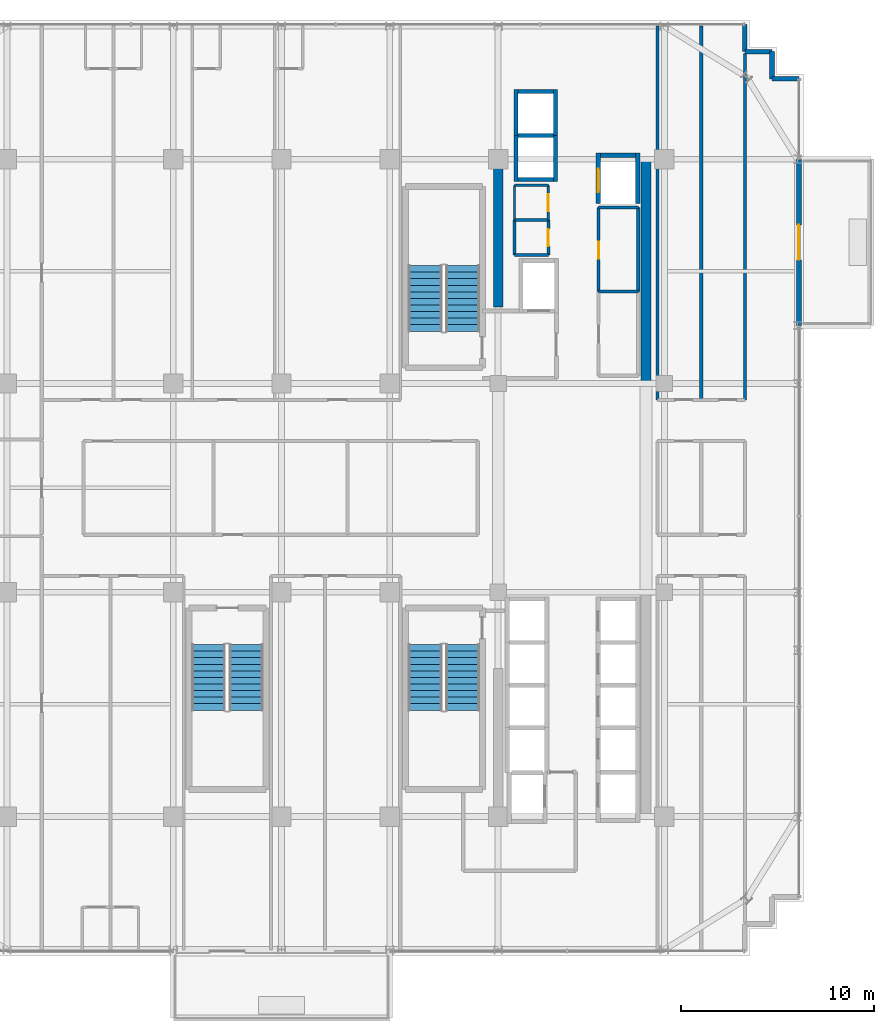
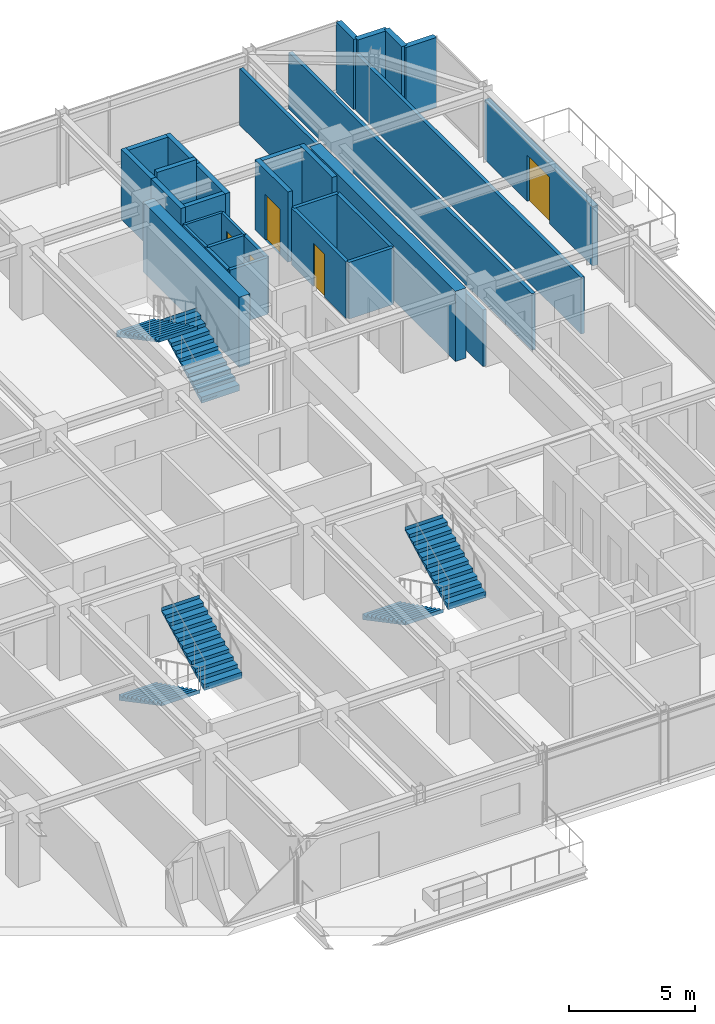
# One storey, part 31 of 34: 31 walls, 6 stair flights, 5 doors, 5 openings, 3 elements without a shape of their own.
"""IFC4 building model written with IfcOpenShell, lengths in metres."""

from ifc_helpers import new_model, si_unit, direction, frame, frame_2d, origin, place, context, subcontext, project, spatial, polyline, rectangle, outline, extrude, source, transform, mapped, material, layer, layer_set, type_object, element, fill, aggregate, save


model = new_model("IFC4")

# Units and contexts
model_context = context("Model", 3, precision=1e-05, world=origin(), true_north=direction((0.0, 1.0)))
body_context = subcontext(model_context, "Body", "Model", "MODEL_VIEW")
ifc_project = project(units=[si_unit("LENGTHUNIT", "METRE"), si_unit("AREAUNIT", "SQUARE_METRE"), si_unit("VOLUMEUNIT", "CUBIC_METRE"), si_unit("PLANEANGLEUNIT", "RADIAN"), si_unit("MASSUNIT", "GRAM", prefix="KILO")], contexts=[model_context])

# Site, building, storey
site_placement = place(None, origin())
site = spatial("IfcSite", under=ifc_project, at=site_placement, CompositionType="ELEMENT")
building_placement = place(site_placement, origin())
building = spatial("IfcBuilding", under=site, at=building_placement, Name="Nahalor Promenade Grand Hotel", CompositionType="ELEMENT")
storey_placement = place(building_placement, frame((0.0, 0.0, 208.60009765625)))
storey = spatial("IfcBuildingStorey", under=building, at=storey_placement, Name="L53", CompositionType="ELEMENT", Elevation=208.60009765625)

# Walls
ifc_material_1 = material(Name="Concrete B-60 (C50/60)", Category="concrete")
ifc_layer_1 = layer(ifc_material_1, 0.5)
ifc_layer_set_1 = layer_set([ifc_layer_1], Name="Concrete B-60 (C50/60)")
wall_type_1 = type_object("IfcWallType", Name="Wall-CoreShear-500", PredefinedType="SHEAR", material=ifc_layer_set_1)
shared_shape_1 = source(origin(), body_context, "Body", "SweptSolid", [
    extrude(rectangle(XDim=7.64990234375, YDim=0.5, at=frame_2d((3.824951171875, 0.0))), origin(), (0.0, 0.0, 1.0), 3.409912109375),
])
wall_1_placement = place(storey_placement, frame((8.39990234375, 9.35009765625, 0.0), z_axis=(0.0, 0.0, 1.0), x_axis=(0.0, 1.0, 0.0)))
element("IfcWall", 1, at=wall_1_placement, inside=storey, type_object=wall_type_1, Name="CWALL-L53-NW", PredefinedType="SHEAR", context=body_context, shape_type="MappedRepresentation", body=[
    mapped(shared_shape_1, transform((0.0, 0.0, 0.0), scale=1.0)),
])
shared_shape_2 = source(origin(), body_context, "Body", "SweptSolid", [
    extrude(rectangle(XDim=11.60009765625, YDim=0.5, at=frame_2d((5.800048828125, 0.0))), origin(), (0.0, 0.0, 1.0), 3.409912109375),
])
wall_2_placement = place(storey_placement, frame((16.050048828125, 5.39990234375, 0.0), z_axis=(0.0, 0.0, 1.0), x_axis=(0.0, 1.0, 0.0)))
element("IfcWall", 2, at=wall_2_placement, inside=storey, type_object=wall_type_1, Name="CWALL-L53-NE", PredefinedType="SHEAR", context=body_context, shape_type="MappedRepresentation", body=[
    mapped(shared_shape_2, transform((0.0, 0.0, 0.0), scale=1.0)),
])
ifc_material_2 = material(Name="Concrete B-50 (C40/50)", Category="concrete")
ifc_layer_2 = layer(ifc_material_2, 0.219970703125)
ifc_layer_set_2 = layer_set([ifc_layer_2], Name="Concrete B-50 (C40/50)")
wall_type_2 = type_object("IfcWallType", Name="Wall-LiftShaft-220", PredefinedType="SHEAR", material=ifc_layer_set_2)
shared_shape_3 = source(origin(), body_context, "Body", "SweptSolid", [
    extrude(rectangle(XDim=1.820068359375, YDim=0.219970703125, at=frame_2d((0.91015625, 0.0))), origin(), (0.0, 0.0, 1.0), 3.409912109375),
])
for number, where, z_axis, x_axis, name in (
    (3, (9.43994140625, 15.949951171875, 0.0), (0.0, 0.0, 1.0), (1.0, 0.0, 0.0), "L53 Lift OB1 Hoistway Wall S"),
    (4, (9.43994140625, 20.5, 0.0), (0.0, 0.0, 1.0), (1.0, 0.0, 0.0), "L53 Lift OB2 Hoistway Wall N"),
    (5, (13.68994140625, 17.199951171875, 0.0), (0.0, 0.0, 1.0), (1.0, 0.0, 0.0), "L53 Lift SV1 Hoistway Wall N"),
):
    element("IfcWall", number, at=place(storey_placement, frame(where, z_axis=z_axis, x_axis=x_axis)), inside=storey, type_object=wall_type_2, Name=name, PredefinedType="SHEAR", context=body_context, shape_type="MappedRepresentation", body=[
        mapped(shared_shape_3, transform((0.0, 0.0, 0.0), scale=1.0)),
    ])
shared_shape_4 = source(origin(), body_context, "Body", "SweptSolid", [
    extrude(rectangle(XDim=1.820068359375, YDim=0.219970703125, at=frame_2d((0.91015625, 0.0))), origin(), (0.0, 0.0, 1.0), 3.699951171875),
])
wall_3_placement = place(storey_placement, frame((9.43994140625, 18.22509765625, 0.0), z_axis=(0.0, 0.0, 1.0), x_axis=(1.0, 0.0, 0.0)))
element("IfcWall", 6, at=wall_3_placement, inside=storey, type_object=wall_type_2, Name="L53 Lift OB1 Hoistway Wall N", PredefinedType="SHEAR", context=body_context, shape_type="MappedRepresentation", body=[
    mapped(shared_shape_4, transform((0.0, 0.0, 0.0), scale=1.0)),
])
shared_shape_5 = source(origin(), body_context, "Body", "SweptSolid", [
    extrude(rectangle(XDim=2.385009765625, YDim=0.219970703125, at=frame_2d((1.1923828125, 0.0))), origin(), (0.0, 0.0, 1.0), 3.409912109375),
])
for number, where, z_axis, x_axis, name in (
    (7, (9.330078125, 15.840087890625, 0.0), (0.0, 0.0, 1.0), (0.0, 1.0, 0.0), "L53 Lift OB1 Hoistway Wall W"),
    (8, (11.3701171875, 15.840087890625, 0.0), (0.0, 0.0, 1.0), (0.0, 1.0, 0.0), "L53 Lift OB1 Hoistway Wall E"),
    (9, (9.330078125, 18.22509765625, 0.0), (0.0, 0.0, 1.0), (0.0, 1.0, 0.0), "L53 Lift OB2 Hoistway Wall W"),
    (10, (11.3701171875, 18.22509765625, 0.0), (0.0, 0.0, 1.0), (0.0, 1.0, 0.0), "L53 Lift OB2 Hoistway Wall E"),
):
    element("IfcWall", number, at=place(storey_placement, frame(where, z_axis=z_axis, x_axis=x_axis)), inside=storey, type_object=wall_type_2, Name=name, PredefinedType="SHEAR", context=body_context, shape_type="MappedRepresentation", body=[
        mapped(shared_shape_5, transform((0.0, 0.0, 0.0), scale=1.0)),
    ])

# Wall, opening, door
shared_shape_6 = source(origin(), body_context, "Body", "SweptSolid", [
    extrude(rectangle(XDim=2.610107421875, YDim=0.219970703125, at=frame_2d((1.30517578125, 0.0))), origin(), (0.0, 0.0, 1.0), 3.409912109375),
])
wall_4_placement = place(storey_placement, frame((13.580078125, 14.699951171875, 0.0), z_axis=(0.0, 0.0, 1.0), x_axis=(0.0, 1.0, 0.0)))
wall_4 = element("IfcWall", 11, at=wall_4_placement, inside=storey, type_object=wall_type_2, Name="L53 Lift SV1 Hoistway Wall W", PredefinedType="SHEAR", context=body_context, shape_type="MappedRepresentation", body=[
    mapped(shared_shape_6, transform((0.0, 0.0, 0.0), scale=1.0)),
])
opening_1_placement = place(wall_4_placement, frame((0.60009765625, 0.0, 0.0)))
opening_1 = element("IfcOpeningElement", 12, at=opening_1_placement, cuts=wall_4, Name="Opening LD-03", PredefinedType="OPENING", context=body_context, shape_type="SweptSolid", body=[
    extrude(rectangle(XDim=1.199951171875, YDim=2.199951171875, at=frame_2d((0.60009765625, 1.10009765625))), frame((0.0, 0.119873046875, 0.0), z_axis=(0.0, -1.0, 0.0), x_axis=(1.0, 0.0, 0.0)), (0.0, 0.0, 1.0), 0.239990234375),
])
ifc_material_3 = material(Name="Steel S355JR", Category="steel")
door_type_1 = type_object("IfcDoorType", Name="Door-LiftService-1200", OperationType="DOUBLE_DOOR_SLIDING", PredefinedType="DOOR", material=ifc_material_3)
shared_shape_7 = source(origin(), body_context, "Body", "SweptSolid", [
    extrude(rectangle(XDim=1.199951171875, YDim=2.199951171875, at=frame_2d((0.60009765625, 1.10009765625))), frame((0.0, 0.02490234375, 0.0), z_axis=(0.0, -1.0, 0.0), x_axis=(1.0, 0.0, 0.0)), (0.0, 0.0, 1.0), 0.050048828125),
])
door_1_placement = place(opening_1_placement, origin())
door_1 = element("IfcDoor", 13, at=door_1_placement, inside=storey, type_object=door_type_1, Name="DR-LIFT-SV1-L53", OperationType="DOUBLE_DOOR_SLIDING", OverallHeight=2.199951171875, OverallWidth=1.199951171875, PredefinedType="DOOR", context=body_context, shape_type="MappedRepresentation", body=[
    mapped(shared_shape_7, transform((0.0, 0.0, 0.0), scale=1.0)),
])
fill(opening_1, door_1)

# Walls
wall_5_placement = place(storey_placement, frame((15.6201171875, 14.699951171875, 0.0), z_axis=(0.0, 0.0, 1.0), x_axis=(0.0, 1.0, 0.0)))
element("IfcWall", 14, at=wall_5_placement, inside=storey, type_object=wall_type_2, Name="L53 Lift SV1 Hoistway Wall E", PredefinedType="SHEAR", context=body_context, shape_type="MappedRepresentation", body=[
    mapped(shared_shape_6, transform((0.0, 0.0, 0.0), scale=1.0)),
])
ifc_material_4 = material(Name="Concrete B-40 (C32/40)", Category="concrete")
ifc_layer_3 = layer(ifc_material_4, 0.25)
ifc_layer_set_3 = layer_set([ifc_layer_3], Name="Concrete B-40 (C32/40)")
wall_type_3 = type_object("IfcWallType", Name="Wall-BronzePier-250", PredefinedType="STANDARD", material=ifc_layer_set_3)
shared_shape_8 = source(origin(), body_context, "Body", "SweptSolid", [
    extrude(rectangle(XDim=1.39990234375, YDim=0.25, at=frame_2d((0.699951171875, 0.0))), origin(), (0.0, 0.0, 1.0), 3.409912109375),
])
for number, where, z_axis, x_axis, name in (
    (15, (22.56005859375, 21.159912109375, 0.0), (0.0, 0.0, 1.0), (1.0, 0.0, 0.0), "W-L53-SR-05"),
    (16, (21.159912109375, 22.56005859375, 0.0), (0.0, 0.0, 1.0), (0.0, 1.0, 0.0), "W-L53-SR-08"),
):
    element("IfcWall", number, at=place(storey_placement, frame(where, z_axis=z_axis, x_axis=x_axis)), inside=storey, type_object=wall_type_3, Name=name, PredefinedType="STANDARD", context=body_context, shape_type="MappedRepresentation", body=[
        mapped(shared_shape_8, transform((0.0, 0.0, 0.0), scale=1.0)),
    ])
shared_shape_9 = source(origin(), body_context, "Body", "SweptSolid", [
    extrude(rectangle(XDim=1.400146484375, YDim=0.25, at=frame_2d((0.7001953125, 0.0))), origin(), (0.0, 0.0, 1.0), 3.409912109375),
])
for number, where, z_axis, x_axis, name in (
    (17, (22.56005859375, 21.159912109375, 0.0), (0.0, 0.0, 1.0), (0.0, 1.0, 0.0), "W-L53-SR-06"),
    (18, (21.159912109375, 22.56005859375, 0.0), (0.0, 0.0, 1.0), (1.0, 0.0, 0.0), "W-L53-SR-07"),
):
    element("IfcWall", number, at=place(storey_placement, frame(where, z_axis=z_axis, x_axis=x_axis)), inside=storey, type_object=wall_type_3, Name=name, PredefinedType="STANDARD", context=body_context, shape_type="MappedRepresentation", body=[
        mapped(shared_shape_9, transform((0.0, 0.0, 0.0), scale=1.0)),
    ])

# Wall, opening, door
ifc_layer_4 = layer(ifc_material_4, 0.260009765625)
ifc_layer_set_4 = layer_set([ifc_layer_4], Name="Concrete B-40 (C32/40)")
wall_type_4 = type_object("IfcWallType", Name="Wall-BalconyWall-260", PredefinedType="STANDARD", material=ifc_layer_set_4)
shared_shape_10 = source(origin(), body_context, "Body", "SweptSolid", [
    extrude(rectangle(XDim=8.60009765625, YDim=0.260009765625, at=frame_2d((4.300048828125, 0.0))), origin(), (0.0, 0.0, 1.0), 2.889892578125),
])
wall_6_placement = place(storey_placement, frame((23.9599609375, 8.39990234375, 0.0), z_axis=(0.0, 0.0, 1.0), x_axis=(0.0, 1.0, 0.0)))
wall_6 = element("IfcWall", 19, at=wall_6_placement, inside=storey, type_object=wall_type_4, Name="W-L53-BALC-E-2", PredefinedType="STANDARD", context=body_context, shape_type="MappedRepresentation", body=[
    mapped(shared_shape_10, transform((0.0, 0.0, 0.0), scale=1.0)),
])
opening_2_placement = place(wall_6_placement, frame((3.39990234375, 0.0, 0.0)))
opening_2 = element("IfcOpeningElement", 20, at=opening_2_placement, cuts=wall_6, Name="Opening D-BC1", PredefinedType="OPENING", context=body_context, shape_type="SweptSolid", body=[
    extrude(rectangle(XDim=1.800048828125, YDim=2.25, at=frame_2d((0.89990234375, 1.125))), frame((0.0, 0.139892578125, 0.0), z_axis=(0.0, -1.0, 0.0), x_axis=(1.0, 0.0, 0.0)), (0.0, 0.0, 1.0), 0.280029296875),
])
ifc_material_5 = material(Name="Anodised Bronze Aluminium EN AW-6063 T6", Category="aluminium")
door_type_2 = type_object("IfcDoorType", Name="Door-BalconySlide-1800", OperationType="DOUBLE_DOOR_SLIDING", PredefinedType="DOOR", material=ifc_material_5)
shared_shape_11 = source(origin(), body_context, "Body", "SweptSolid", [
    extrude(rectangle(XDim=1.800048828125, YDim=2.25, at=frame_2d((0.89990234375, 1.125))), frame((0.0, 0.02490234375, 0.0), z_axis=(0.0, -1.0, 0.0), x_axis=(1.0, 0.0, 0.0)), (0.0, 0.0, 1.0), 0.050048828125),
])
door_2_placement = place(opening_2_placement, frame((1.800048828125, 0.0, 0.0), z_axis=(0.0, 0.0, 1.0), x_axis=(-1.0, 0.0, 0.0)))
door_2 = element("IfcDoor", 21, at=door_2_placement, inside=storey, type_object=door_type_2, Name="DR-L53-BALC-E-2", OperationType="DOUBLE_DOOR_SLIDING", OverallHeight=2.25, OverallWidth=1.800048828125, PredefinedType="DOOR", context=body_context, shape_type="MappedRepresentation", body=[
    mapped(shared_shape_11, transform((0.0, 0.0, 0.0), scale=1.0)),
])
fill(opening_2, door_2)

# Walls
ifc_material_6 = material(Name="Acoustic Mineral Gypsum", Category="gypsum")
ifc_layer_5 = layer(ifc_material_6, 0.14990234375)
ifc_layer_set_5 = layer_set([ifc_layer_5], Name="Acoustic Mineral Gypsum")
wall_type_5 = type_object("IfcWallType", Name="Wall-PartService-150", PredefinedType="PARTITIONING", material=ifc_layer_set_5)
shared_shape_12 = source(origin(), body_context, "Body", "SweptSolid", [
    extrude(rectangle(XDim=1.75, YDim=0.14990234375, at=frame_2d((0.875, 0.0))), origin(), (0.0, 0.0, 1.0), 2.75),
])
for number, where, z_axis, x_axis, name in (
    (22, (9.25, 12.050048828125, 0.0), (0.0, 0.0, 1.0), (1.0, 0.0, 0.0), "W-L53-CK2A-S"),
    (23, (9.25, 13.85009765625, 0.0), (0.0, 0.0, 1.0), (1.0, 0.0, 0.0), "W-L53-CK2A-N"),
):
    element("IfcWall", number, at=place(storey_placement, frame(where, z_axis=z_axis, x_axis=x_axis)), inside=storey, type_object=wall_type_5, Name=name, PredefinedType="PARTITIONING", context=body_context, shape_type="MappedRepresentation", body=[
        mapped(shared_shape_12, transform((0.0, 0.0, 0.0), scale=1.0)),
    ])
ifc_layer_6 = layer(ifc_material_6, 0.159912109375)
ifc_layer_set_6 = layer_set([ifc_layer_6], Name="Acoustic Mineral Gypsum")
wall_type_6 = type_object("IfcWallType", Name="Wall-PartCorridor-160", PredefinedType="PARTITIONING", material=ifc_layer_set_6)
shared_shape_13 = source(origin(), body_context, "Body", "SweptSolid", [
    extrude(rectangle(XDim=2.0498046875, YDim=0.159912109375, at=frame_2d((1.02490234375, 0.0))), origin(), (0.0, 0.0, 1.0), 2.75),
])
for number, where, z_axis, x_axis, name in (
    (24, (13.60009765625, 10.14990234375, 0.0), (0.0, 0.0, 1.0), (1.0, 0.0, 0.0), "W-L53-FRB1A-N"),
    (25, (13.60009765625, 14.5, 0.0), (0.0, 0.0, 1.0), (1.0, 0.0, 0.0), "W-L53-FRB1B-N"),
):
    element("IfcWall", number, at=place(storey_placement, frame(where, z_axis=z_axis, x_axis=x_axis)), inside=storey, type_object=wall_type_6, Name=name, PredefinedType="PARTITIONING", context=body_context, shape_type="MappedRepresentation", body=[
        mapped(shared_shape_13, transform((0.0, 0.0, 0.0), scale=1.0)),
    ])
shared_shape_14 = source(origin(), body_context, "Body", "SweptSolid", [
    extrude(rectangle(XDim=19.349853515625, YDim=0.159912109375, at=frame_2d((9.6748046875, 0.0))), origin(), (0.0, 0.0, 1.0), 2.75),
])
for number, where, z_axis, x_axis, name in (
    (26, (16.64990234375, 4.550048828125, 0.0), (0.0, 0.0, 1.0), (0.0, 1.0, 0.0), "W-L53-ENE1-W"),
    (27, (18.905029296875, 4.550048828125, 0.0), (0.0, 0.0, 1.0), (0.0, 1.0, 0.0), "W-L53-ENE1-E"),
):
    element("IfcWall", number, at=place(storey_placement, frame(where, z_axis=z_axis, x_axis=x_axis)), inside=storey, type_object=wall_type_6, Name=name, PredefinedType="PARTITIONING", context=body_context, shape_type="MappedRepresentation", body=[
        mapped(shared_shape_14, transform((0.0, 0.0, 0.0), scale=1.0)),
    ])
shared_shape_15 = source(origin(), body_context, "Body", "SweptSolid", [
    extrude(rectangle(XDim=17.929931640625, YDim=0.159912109375, at=frame_2d((8.96484375, 0.0))), origin(), (0.0, 0.0, 1.0), 2.75),
])
wall_7_placement = place(storey_placement, frame((21.159912109375, 4.550048828125, 0.0), z_axis=(0.0, 0.0, 1.0), x_axis=(0.0, 1.0, 0.0)))
element("IfcWall", 28, at=wall_7_placement, inside=storey, type_object=wall_type_6, Name="W-L53-ENE2-E", PredefinedType="PARTITIONING", context=body_context, shape_type="MappedRepresentation", body=[
    mapped(shared_shape_15, transform((0.0, 0.0, 0.0), scale=1.0)),
])
shared_shape_16 = source(origin(), body_context, "Body", "SweptSolid", [
    extrude(rectangle(XDim=1.800048828125, YDim=0.14990234375, at=frame_2d((0.89990234375, 0.0))), origin(), (0.0, 0.0, 1.0), 2.75),
])
wall_8_placement = place(storey_placement, frame((9.25, 12.050048828125, 0.0), z_axis=(0.0, 0.0, 1.0), x_axis=(0.0, 1.0, 0.0)))
element("IfcWall", 29, at=wall_8_placement, inside=storey, type_object=wall_type_5, Name="W-L53-CK2A-W", PredefinedType="PARTITIONING", context=body_context, shape_type="MappedRepresentation", body=[
    mapped(shared_shape_16, transform((0.0, 0.0, 0.0), scale=1.0)),
])

# Wall, opening, door
wall_9_placement = place(storey_placement, frame((11.0, 12.050048828125, 0.0), z_axis=(0.0, 0.0, 1.0), x_axis=(0.0, 1.0, 0.0)))
wall_9 = element("IfcWall", 30, at=wall_9_placement, inside=storey, type_object=wall_type_5, Name="W-L53-CK2A-E", PredefinedType="PARTITIONING", context=body_context, shape_type="MappedRepresentation", body=[
    mapped(shared_shape_16, transform((0.0, 0.0, 0.0), scale=1.0)),
])
opening_3_placement = place(wall_9_placement, frame((0.4599609375, 0.0, 0.0)))
opening_3 = element("IfcOpeningElement", 31, at=opening_3_placement, cuts=wall_9, Name="Opening D-03", PredefinedType="OPENING", context=body_context, shape_type="SweptSolid", body=[
    extrude(rectangle(XDim=0.8798828125, YDim=2.10009765625, at=frame_2d((0.43994140625, 1.050048828125))), frame((0.0, 0.0849609375, 0.0), z_axis=(0.0, -1.0, 0.0), x_axis=(1.0, 0.0, 0.0)), (0.0, 0.0, 1.0), 0.169921875),
])
ifc_material_7 = material(Name="Fire-Rated Timber Composite", Category="wood")
door_type_3 = type_object("IfcDoorType", Name="Door-BathSwing-880", OperationType="NOTDEFINED", PredefinedType="DOOR", material=ifc_material_7)
shared_shape_17 = source(origin(), body_context, "Body", "SweptSolid", [
    extrude(rectangle(XDim=0.8798828125, YDim=2.10009765625, at=frame_2d((0.43994140625, 1.050048828125))), frame((0.0, 0.02490234375, 0.0), z_axis=(0.0, -1.0, 0.0), x_axis=(1.0, 0.0, 0.0)), (0.0, 0.0, 1.0), 0.050048828125),
])
door_3_placement = place(opening_3_placement, origin())
door_3 = element("IfcDoor", 32, at=door_3_placement, inside=storey, type_object=door_type_3, Name="DR-L53-CK2A", OperationType="SINGLE_SWING_LEFT", OverallHeight=2.10009765625, OverallWidth=0.8798828125, PredefinedType="DOOR", context=body_context, shape_type="MappedRepresentation", body=[
    mapped(shared_shape_17, transform((0.0, 0.0, 0.0), scale=1.0)),
])
fill(opening_3, door_3)

# Walls
ifc_layer_7 = layer(ifc_material_6, 0.1201171875)
ifc_layer_set_7 = layer_set([ifc_layer_7], Name="Acoustic Mineral Gypsum")
wall_type_7 = type_object("IfcWallType", Name="Wall-PartBath-120", PredefinedType="PARTITIONING", material=ifc_layer_set_7)
shared_shape_18 = source(origin(), body_context, "Body", "SweptSolid", [
    extrude(rectangle(XDim=1.75, YDim=0.1201171875, at=frame_2d((0.875, 0.0))), origin(), (0.0, 0.0, 1.0), 2.75),
])
wall_10_placement = place(storey_placement, frame((9.25, 15.64990234375, 0.0), z_axis=(0.0, 0.0, 1.0), x_axis=(1.0, 0.0, 0.0)))
element("IfcWall", 33, at=wall_10_placement, inside=storey, type_object=wall_type_7, Name="W-L53-CK2B-N", PredefinedType="PARTITIONING", context=body_context, shape_type="MappedRepresentation", body=[
    mapped(shared_shape_18, transform((0.0, 0.0, 0.0), scale=1.0)),
])
shared_shape_19 = source(origin(), body_context, "Body", "SweptSolid", [
    extrude(rectangle(XDim=1.7998046875, YDim=0.1201171875, at=frame_2d((0.89990234375, 0.0))), origin(), (0.0, 0.0, 1.0), 2.75),
])
wall_11_placement = place(storey_placement, frame((9.25, 13.85009765625, 0.0), z_axis=(0.0, 0.0, 1.0), x_axis=(0.0, 1.0, 0.0)))
element("IfcWall", 34, at=wall_11_placement, inside=storey, type_object=wall_type_7, Name="W-L53-CK2B-W", PredefinedType="PARTITIONING", context=body_context, shape_type="MappedRepresentation", body=[
    mapped(shared_shape_19, transform((0.0, 0.0, 0.0), scale=1.0)),
])

# Wall, opening, door
wall_12_placement = place(storey_placement, frame((11.0, 13.85009765625, 0.0), z_axis=(0.0, 0.0, 1.0), x_axis=(0.0, 1.0, 0.0)))
wall_12 = element("IfcWall", 35, at=wall_12_placement, inside=storey, type_object=wall_type_7, Name="W-L53-CK2B-E", PredefinedType="PARTITIONING", context=body_context, shape_type="MappedRepresentation", body=[
    mapped(shared_shape_19, transform((0.0, 0.0, 0.0), scale=1.0)),
])
opening_4_placement = place(wall_12_placement, frame((0.4599609375, 0.0, 0.0)))
opening_4 = element("IfcOpeningElement", 36, at=opening_4_placement, cuts=wall_12, Name="Opening D-03", PredefinedType="OPENING", context=body_context, shape_type="SweptSolid", body=[
    extrude(rectangle(XDim=0.8798828125, YDim=2.10009765625, at=frame_2d((0.43994140625, 1.050048828125))), frame((0.0, 0.070068359375, 0.0), z_axis=(0.0, -1.0, 0.0), x_axis=(1.0, 0.0, 0.0)), (0.0, 0.0, 1.0), 0.14013671875),
])
door_4_placement = place(opening_4_placement, origin())
door_4 = element("IfcDoor", 37, at=door_4_placement, inside=storey, type_object=door_type_3, Name="DR-L53-CK2B", OperationType="SINGLE_SWING_RIGHT", OverallHeight=2.10009765625, OverallWidth=0.8798828125, PredefinedType="DOOR", context=body_context, shape_type="MappedRepresentation", body=[
    mapped(shared_shape_17, transform((0.0, 0.0, 0.0), scale=1.0)),
])
fill(opening_4, door_4)

shared_shape_20 = source(origin(), body_context, "Body", "SweptSolid", [
    extrude(rectangle(XDim=4.35009765625, YDim=0.159912109375, at=frame_2d((2.175048828125, 0.0))), origin(), (0.0, 0.0, 1.0), 2.75),
])
wall_13_placement = place(storey_placement, frame((13.60009765625, 10.14990234375, 0.0), z_axis=(0.0, 0.0, 1.0), x_axis=(0.0, 1.0, 0.0)))
wall_13 = element("IfcWall", 38, at=wall_13_placement, inside=storey, type_object=wall_type_6, Name="W-L53-FRB1B-W", PredefinedType="PARTITIONING", context=body_context, shape_type="MappedRepresentation", body=[
    mapped(shared_shape_20, transform((0.0, 0.0, 0.0), scale=1.0)),
])
opening_5_placement = place(wall_13_placement, frame((1.7099609375, 0.0, 0.0)))
opening_5 = element("IfcOpeningElement", 39, at=opening_5_placement, cuts=wall_13, Name="Opening D-03", PredefinedType="OPENING", context=body_context, shape_type="SweptSolid", body=[
    extrude(rectangle(XDim=0.8798828125, YDim=2.10009765625, at=frame_2d((0.43994140625, 1.050048828125))), frame((0.0, 0.08984375, 0.0), z_axis=(0.0, -1.0, 0.0), x_axis=(1.0, 0.0, 0.0)), (0.0, 0.0, 1.0), 0.179931640625),
])
door_5_placement = place(opening_5_placement, frame((0.8798828125, 0.0, 0.0), z_axis=(0.0, 0.0, 1.0), x_axis=(-1.0, 0.0, 0.0)))
door_5 = element("IfcDoor", 40, at=door_5_placement, inside=storey, type_object=door_type_3, Name="DR-L53-FRB1B", OperationType="SINGLE_SWING_RIGHT", OverallHeight=2.10009765625, OverallWidth=0.8798828125, PredefinedType="DOOR", context=body_context, shape_type="MappedRepresentation", body=[
    mapped(shared_shape_17, transform((0.0, 0.0, 0.0), scale=1.0)),
])
fill(opening_5, door_5)

# Wall
wall_14_placement = place(storey_placement, frame((15.64990234375, 10.14990234375, 0.0), z_axis=(0.0, 0.0, 1.0), x_axis=(0.0, 1.0, 0.0)))
element("IfcWall", 41, at=wall_14_placement, inside=storey, type_object=wall_type_6, Name="W-L53-FRB1B-E", PredefinedType="PARTITIONING", context=body_context, shape_type="MappedRepresentation", body=[
    mapped(shared_shape_20, transform((0.0, 0.0, 0.0), scale=1.0)),
])

# Stair, stair flights
stair_type_1 = type_object("IfcStairType", Name="Stair-ST1", PredefinedType="HALF_TURN_STAIR", material=ifc_material_2)
stair_1_placement = place(storey_placement, origin())
stair_1 = element("IfcStair", 42, at=stair_1_placement, inside=storey, type_object=stair_type_1, Name="L53 ST1", PredefinedType="HALF_TURN_STAIR")
ifc_layer_8 = layer(ifc_material_2, 0.179931640625)
ifc_layer_set_8 = layer_set([ifc_layer_8], Name="Concrete B-50 (C40/50)")
stair_flight_type_1 = type_object("IfcStairFlightType", Name="Flight-ST1", PredefinedType="STRAIGHT", material=ifc_layer_set_8)
shared_shape_21 = source(origin(), body_context, "Body", "SweptSolid", [
    extrude(outline(polyline([(-0.00390625, -0.1201171875), (-0.00390625, 0.0), (0.0, 0.0), (0.0, 0.168212890625), (0.340087890625, 0.168212890625), (0.340087890625, 0.33642578125), (0.679931640625, 0.33642578125), (0.679931640625, 0.504638671875), (1.02001953125, 0.504638671875), (1.02001953125, 0.672607421875), (1.360107421875, 0.672607421875), (1.360107421875, 0.8408203125), (1.699951171875, 0.8408203125), (1.699951171875, 1.009033203125), (2.0400390625, 1.009033203125), (2.0400390625, 1.17724609375), (2.3798828125, 1.17724609375), (2.3798828125, 1.345458984375), (2.719970703125, 1.345458984375), (2.719970703125, 1.513671875), (3.06005859375, 1.513671875), (3.06005859375, 1.681884765625), (3.39990234375, 1.681884765625), (3.39990234375, 1.85009765625), (3.404052734375, 1.85009765625), (3.404052734375, 1.669921875), (0.02001953125, -0.1201171875), (-0.00390625, -0.1201171875)])), frame((0.0, 0.875, 0.0), z_axis=(0.0, -1.0, 0.0), x_axis=(1.0, 0.0, 0.0)), (0.0, 0.0, 1.0), 1.75),
])
stair_flight_1_placement = place(storey_placement, frame((6.574951171875, 8.10009765625, 0.0), z_axis=(0.0, 0.0, 1.0), x_axis=(0.0, 1.0, 0.0)))
stair_flight_1 = element("IfcStairFlight", 43, at=stair_flight_1_placement, type_object=stair_flight_type_1, Name="ST1 flight 1", NumberOfRisers=11, NumberOfTreads=10, PredefinedType="STRAIGHT", RiserHeight=0.168181818, TreadLength=0.34, context=body_context, shape_type="MappedRepresentation", body=[
    mapped(shared_shape_21, transform((0.0, 0.0, 0.0), scale=1.0)),
])
stair_flight_2_placement = place(storey_placement, frame((4.625, 11.5, 1.849853515625), z_axis=(0.0, 0.0, 1.0), x_axis=(0.0, -1.0, 0.0)))
stair_flight_2 = element("IfcStairFlight", 44, at=stair_flight_2_placement, type_object=stair_flight_type_1, Name="ST1 flight 2", NumberOfRisers=11, NumberOfTreads=10, PredefinedType="STRAIGHT", RiserHeight=0.168181818, TreadLength=0.34, context=body_context, shape_type="MappedRepresentation", body=[
    mapped(shared_shape_21, transform((0.0, 0.0, 0.0), scale=1.0)),
])
aggregate(stair_1, [stair_flight_1, stair_flight_2])

stair_type_2 = type_object("IfcStairType", Name="Stair-ST2", PredefinedType="HALF_TURN_STAIR", material=ifc_material_2)
stair_2_placement = place(storey_placement, origin())
stair_2 = element("IfcStair", 45, at=stair_2_placement, inside=storey, type_object=stair_type_2, Name="L53 ST2", PredefinedType="HALF_TURN_STAIR")
ifc_layer_9 = layer(ifc_material_2, 0.18994140625)
ifc_layer_set_9 = layer_set([ifc_layer_9], Name="Concrete B-50 (C40/50)")
stair_flight_type_2 = type_object("IfcStairFlightType", Name="Flight-ST2", PredefinedType="STRAIGHT", material=ifc_layer_set_9)
shared_shape_22 = source(origin(), body_context, "Body", "SweptSolid", [
    extrude(outline(polyline([(-0.00390625, -0.1201171875), (-0.00390625, 0.0), (0.0, 0.0), (0.0, 0.168212890625), (0.340087890625, 0.168212890625), (0.340087890625, 0.33642578125), (0.679931640625, 0.33642578125), (0.679931640625, 0.504638671875), (1.02001953125, 0.504638671875), (1.02001953125, 0.672607421875), (1.360107421875, 0.672607421875), (1.360107421875, 0.8408203125), (1.699951171875, 0.8408203125), (1.699951171875, 1.009033203125), (2.0400390625, 1.009033203125), (2.0400390625, 1.17724609375), (2.3798828125, 1.17724609375), (2.3798828125, 1.345458984375), (2.719970703125, 1.345458984375), (2.719970703125, 1.513671875), (3.06005859375, 1.513671875), (3.06005859375, 1.681884765625), (3.39990234375, 1.681884765625), (3.39990234375, 1.85009765625), (3.404052734375, 1.85009765625), (3.404052734375, 1.669921875), (0.02001953125, -0.1201171875), (-0.00390625, -0.1201171875)])), frame((0.0, 0.875, 0.0), z_axis=(0.0, -1.0, 0.0), x_axis=(1.0, 0.0, 0.0)), (0.0, 0.0, 1.0), 1.75),
])
stair_flight_3_placement = place(storey_placement, frame((4.625, -8.10009765625, 0.0), z_axis=(0.0, 0.0, 1.0), x_axis=(0.0, -1.0, 0.0)))
stair_flight_3 = element("IfcStairFlight", 46, at=stair_flight_3_placement, type_object=stair_flight_type_2, Name="ST2 flight 1", NumberOfRisers=11, NumberOfTreads=10, PredefinedType="STRAIGHT", RiserHeight=0.168181818, TreadLength=0.34, context=body_context, shape_type="MappedRepresentation", body=[
    mapped(shared_shape_22, transform((0.0, 0.0, 0.0), scale=1.0)),
])
stair_flight_4_placement = place(storey_placement, frame((6.574951171875, -11.5, 1.849853515625), z_axis=(0.0, 0.0, 1.0), x_axis=(0.0, 1.0, 0.0)))
stair_flight_4 = element("IfcStairFlight", 47, at=stair_flight_4_placement, type_object=stair_flight_type_2, Name="ST2 flight 2", NumberOfRisers=11, NumberOfTreads=10, PredefinedType="STRAIGHT", RiserHeight=0.168181818, TreadLength=0.34, context=body_context, shape_type="MappedRepresentation", body=[
    mapped(shared_shape_22, transform((0.0, 0.0, 0.0), scale=1.0)),
])
aggregate(stair_2, [stair_flight_3, stair_flight_4])

stair_type_3 = type_object("IfcStairType", Name="Stair-ST3", PredefinedType="HALF_TURN_STAIR", material=ifc_material_2)
stair_3_placement = place(storey_placement, origin())
stair_3 = element("IfcStair", 48, at=stair_3_placement, inside=storey, type_object=stair_type_3, Name="L53 ST3", PredefinedType="HALF_TURN_STAIR")
ifc_layer_10 = layer(ifc_material_2, 0.199951171875)
ifc_layer_set_10 = layer_set([ifc_layer_10], Name="Concrete B-50 (C40/50)")
stair_flight_type_3 = type_object("IfcStairFlightType", Name="Flight-ST3", PredefinedType="STRAIGHT", material=ifc_layer_set_10)
shared_shape_23 = source(origin(), body_context, "Body", "SweptSolid", [
    extrude(outline(polyline([(-0.00390625, -0.1201171875), (-0.00390625, 0.0), (0.0, 0.0), (0.0, 0.168212890625), (0.340087890625, 0.168212890625), (0.340087890625, 0.33642578125), (0.679931640625, 0.33642578125), (0.679931640625, 0.504638671875), (1.02001953125, 0.504638671875), (1.02001953125, 0.672607421875), (1.360107421875, 0.672607421875), (1.360107421875, 0.8408203125), (1.699951171875, 0.8408203125), (1.699951171875, 1.009033203125), (2.0400390625, 1.009033203125), (2.0400390625, 1.17724609375), (2.3798828125, 1.17724609375), (2.3798828125, 1.345458984375), (2.719970703125, 1.345458984375), (2.719970703125, 1.513671875), (3.06005859375, 1.513671875), (3.06005859375, 1.681884765625), (3.39990234375, 1.681884765625), (3.39990234375, 1.85009765625), (3.404052734375, 1.85009765625), (3.404052734375, 1.669921875), (0.02001953125, -0.1201171875), (-0.00390625, -0.1201171875)])), frame((0.0, 0.875, 0.0), z_axis=(0.0, -1.0, 0.0), x_axis=(1.0, 0.0, 0.0)), (0.0, 0.0, 1.0), 1.75),
])
stair_flight_5_placement = place(storey_placement, frame((-6.574951171875, -8.10009765625, 0.0), z_axis=(0.0, 0.0, 1.0), x_axis=(0.0, -1.0, 0.0)))
stair_flight_5 = element("IfcStairFlight", 49, at=stair_flight_5_placement, type_object=stair_flight_type_3, Name="ST3 flight 1", NumberOfRisers=11, NumberOfTreads=10, PredefinedType="STRAIGHT", RiserHeight=0.168181818, TreadLength=0.34, context=body_context, shape_type="MappedRepresentation", body=[
    mapped(shared_shape_23, transform((0.0, 0.0, 0.0), scale=1.0)),
])
stair_flight_6_placement = place(storey_placement, frame((-4.625, -11.5, 1.849853515625), z_axis=(0.0, 0.0, 1.0), x_axis=(0.0, 1.0, 0.0)))
stair_flight_6 = element("IfcStairFlight", 50, at=stair_flight_6_placement, type_object=stair_flight_type_3, Name="ST3 flight 2", NumberOfRisers=11, NumberOfTreads=10, PredefinedType="STRAIGHT", RiserHeight=0.168181818, TreadLength=0.34, context=body_context, shape_type="MappedRepresentation", body=[
    mapped(shared_shape_23, transform((0.0, 0.0, 0.0), scale=1.0)),
])
aggregate(stair_3, [stair_flight_5, stair_flight_6])

save(model, "model.ifc")
